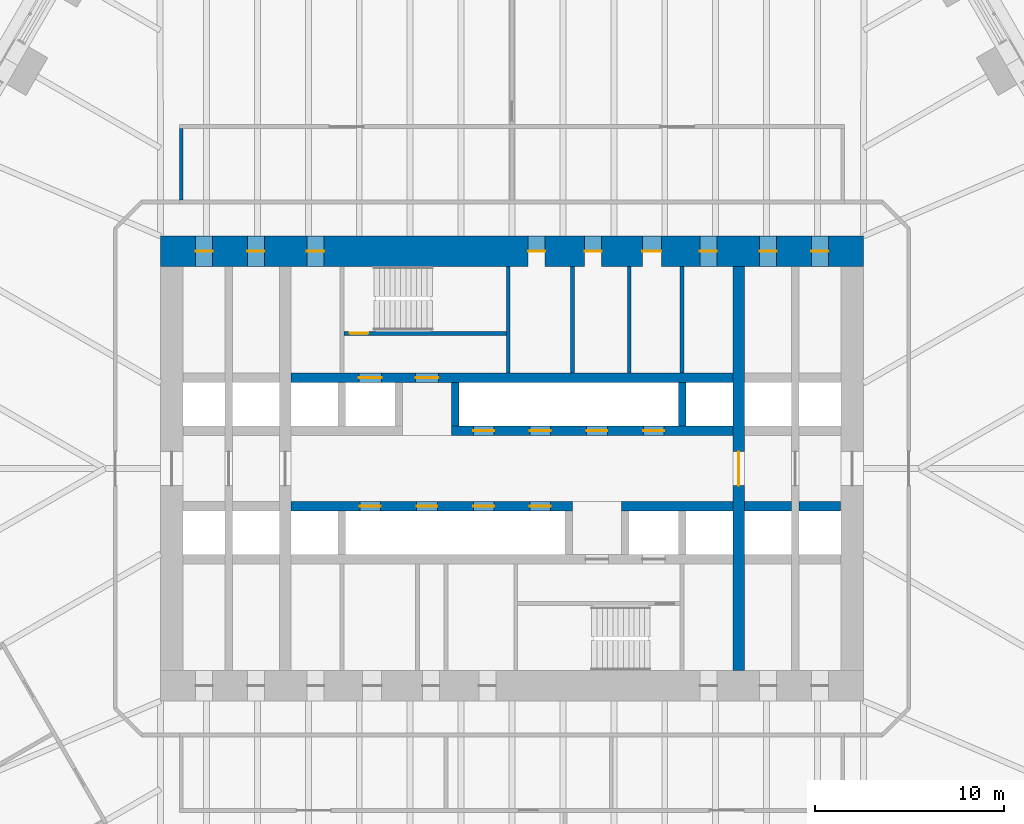
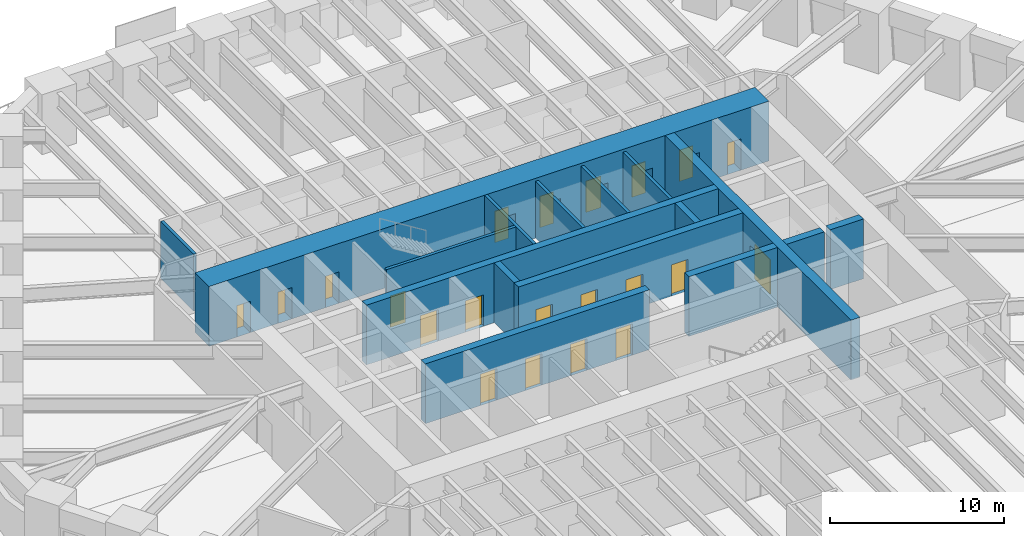
# One storey, part 18 of 23: 21 doors, 16 walls, 21 openings.
"""IFC4 building model written with IfcOpenShell, lengths in metres."""

from ifc_helpers import new_model, si_unit, direction, frame, frame_2d, origin, place, context, subcontext, project, spatial, rectangle, extrude, material, layer, layer_set, type_object, element, fill, save


model = new_model("IFC4")

# Units and contexts
model_context = context("Model", 3, precision=1e-05, world=origin(), true_north=direction((0.0, 1.0)))
body_context = subcontext(model_context, "Body", "Model", "MODEL_VIEW")
ifc_project = project(units=[si_unit("LENGTHUNIT", "METRE"), si_unit("AREAUNIT", "SQUARE_METRE"), si_unit("VOLUMEUNIT", "CUBIC_METRE"), si_unit("PLANEANGLEUNIT", "RADIAN"), si_unit("MASSUNIT", "GRAM", prefix="KILO")], contexts=[model_context])

# Site, building, storey
site_placement = place(None, origin())
site = spatial("IfcSite", under=ifc_project, at=site_placement, CompositionType="ELEMENT")
building_placement = place(site_placement, origin())
building = spatial("IfcBuilding", under=site, at=building_placement, Name="Tarfa Lantern Tower", CompositionType="ELEMENT")
storey_placement = place(building_placement, frame((0.0, 0.0, 31.89990234375)))
storey = spatial("IfcBuildingStorey", under=building, at=storey_placement, Name="L06", CompositionType="ELEMENT", Elevation=31.89990234375)

# Walls
ifc_material_1 = material(Name="Concrete blockwork", Category="masonry")
ifc_layer_1 = layer(ifc_material_1, 0.199951171875)
ifc_layer_set_1 = layer_set([ifc_layer_1], Name="IW1 BLOCKWORK PARTITION 200 EI 120")
wall_type_1 = type_object("IfcWallType", Name="IW1 BLOCKWORK PARTITION 200 EI 120", PredefinedType="PARTITIONING", material=ifc_layer_set_1)
for number, where, z_axis, x_axis, name in (
    (1, (9.0, 5.050048828125, 0.0), (0.0, 0.0, 1.0), (0.0, 1.0, 0.0), "Core partition"),
    (2, (3.199951171875, 5.050048828125, 0.0), (0.0, 0.0, 1.0), (0.0, 1.0, 0.0), "Core partition"),
    (3, (6.199951171875, 5.050048828125, 0.0), (0.0, 0.0, 1.0), (0.0, 1.0, 0.0), "Core partition"),
):
    element("IfcWall", number, at=place(storey_placement, frame(where, z_axis=z_axis, x_axis=x_axis)), inside=storey, type_object=wall_type_1, Name=name, PredefinedType="PARTITIONING", context=body_context, shape_type="SweptSolid", body=[
        extrude(rectangle(XDim=5.64990234375, YDim=0.199951171875, at=frame_2d((2.824951171875, 0.0))), origin(), (0.0, 0.0, 1.0), 4.0),
    ])
ifc_material_2 = material(Name="Gypsum board on steel studs", Category="steel")
ifc_layer_2 = layer(ifc_material_2, 0.2099609375)
ifc_layer_set_2 = layer_set([ifc_layer_2], Name="IW2 ACOUSTIC PARTITION 200")
wall_type_2 = type_object("IfcWallType", Name="IW2 ACOUSTIC PARTITION 200", PredefinedType="PARTITIONING", material=ifc_layer_set_2)
wall_1_placement = place(storey_placement, frame((-17.5, 14.199951171875, 0.0), z_axis=(0.0, 0.0, 1.0), x_axis=(0.0, 1.0, 0.0)))
element("IfcWall", 4, at=wall_1_placement, inside=storey, type_object=wall_type_2, Name="Partition", PredefinedType="PARTITIONING", context=body_context, shape_type="SweptSolid", body=[
    extrude(rectangle(XDim=3.800048828125, YDim=0.199951171875, at=frame_2d((1.89990234375, 0.0))), origin(), (0.0, 0.0, 1.0), 4.0),
])
ifc_material_3 = material(Name="Concrete C80/95", Category="concrete")
ifc_layer_3 = layer(ifc_material_3, 0.199951171875)
ifc_layer_set_3 = layer_set([ifc_layer_3], Name="SW12 CORE WALL 200")
wall_type_3 = type_object("IfcWallType", Name="SW12 CORE WALL 200", PredefinedType="SHEAR", material=ifc_layer_set_3)
wall_2_placement = place(storey_placement, frame((-0.199951171875, 5.050048828125, 0.0), z_axis=(0.0, 0.0, 1.0), x_axis=(0.0, 1.0, 0.0)))
element("IfcWall", 5, at=wall_2_placement, inside=storey, type_object=wall_type_3, Name="Core wall stair shaft N", PredefinedType="SHEAR", context=body_context, shape_type="SweptSolid", body=[
    extrude(rectangle(XDim=5.64990234375, YDim=0.199951171875, at=frame_2d((2.824951171875, 0.0))), origin(), (0.0, 0.0, 1.0), 4.2001953125),
])

# Wall, opening, door
wall_3_placement = place(storey_placement, frame((-8.89990234375, 7.14990234375, 0.0), z_axis=(0.0, 0.0, 1.0), x_axis=(1.0, 0.0, 0.0)))
wall_3 = element("IfcWall", 6, at=wall_3_placement, inside=storey, type_object=wall_type_3, Name="Core wall stair partition N", PredefinedType="SHEAR", context=body_context, shape_type="SweptSolid", body=[
    extrude(rectangle(XDim=8.599853515625, YDim=0.199951171875, at=frame_2d((4.2998046875, 0.0))), origin(), (0.0, 0.0, 1.0), 4.2001953125),
])
opening_1_placement = place(wall_3_placement, frame((0.300048828125, 0.0, 0.0)))
opening_1 = element("IfcOpeningElement", 7, at=opening_1_placement, cuts=wall_3, Name="Opening D23", PredefinedType="OPENING", context=body_context, shape_type="SweptSolid", body=[
    extrude(rectangle(XDim=1.0, YDim=2.199951171875, at=frame_2d((0.5, 1.10009765625))), frame((0.0, 0.10986328125, 0.0), z_axis=(0.0, -1.0, 0.0), x_axis=(1.0, 0.0, 0.0)), (0.0, 0.0, 1.0), 0.219970703125),
])
ifc_material_4 = material(Name="Steel fire door", Category="steel")
door_type_1 = type_object("IfcDoorType", Name="DF2 STAIR DOOR 1000x2200", OperationType="SINGLE_SWING_LEFT", PredefinedType="DOOR", material=ifc_material_4)
door_1_placement = place(opening_1_placement, origin())
door_1 = element("IfcDoor", 8, at=door_1_placement, inside=storey, type_object=door_type_1, Name="Stair door", OperationType="SINGLE_SWING_RIGHT", OverallHeight=2.199951171875, OverallWidth=1.0, PredefinedType="DOOR", context=body_context, shape_type="SweptSolid", body=[
    extrude(rectangle(XDim=1.0, YDim=2.199951171875, at=frame_2d((0.5, 1.10009765625))), frame((0.0, 0.02490234375, 0.0), z_axis=(0.0, -1.0, 0.0), x_axis=(1.0, 0.0, 0.0)), (0.0, 0.0, 1.0), 0.050048828125),
])
fill(opening_1, door_1)

# Wall, openings, doors
ifc_layer_4 = layer(ifc_material_3, 0.5)
ifc_layer_set_4 = layer_set([ifc_layer_4], Name="SW5 CORE WALL 500")
wall_type_4 = type_object("IfcWallType", Name="SW5 CORE WALL 500", PredefinedType="SHEAR", material=ifc_layer_set_4)
wall_4_placement = place(storey_placement, frame((-3.199951171875, 2.0, 0.0), z_axis=(0.0, 0.0, 1.0), x_axis=(1.0, 0.0, 0.0)))
wall_4 = element("IfcWall", 9, at=wall_4_placement, inside=storey, type_object=wall_type_4, Name="Core wall lobby east N", PredefinedType="SHEAR", context=body_context, shape_type="SweptSolid", body=[
    extrude(rectangle(XDim=14.89990234375, YDim=0.5, at=frame_2d((7.449951171875, 0.0))), origin(), (0.0, 0.0, 1.0), 4.2001953125),
])
opening_2_placement = place(wall_4_placement, frame((1.14990234375, 0.0, 0.0)))
opening_2 = element("IfcOpeningElement", 10, at=opening_2_placement, cuts=wall_4, Name="Opening LD03", PredefinedType="OPENING", context=body_context, shape_type="SweptSolid", body=[
    extrude(rectangle(XDim=1.10009765625, YDim=2.199951171875, at=frame_2d((0.550048828125, 1.10009765625))), frame((0.0, 0.260009765625, 0.0), z_axis=(0.0, -1.0, 0.0), x_axis=(1.0, 0.0, 0.0)), (0.0, 0.0, 1.0), 0.52001953125),
])
opening_3_placement = place(wall_4_placement, frame((4.14990234375, 0.0, 0.0)))
opening_3 = element("IfcOpeningElement", 11, at=opening_3_placement, cuts=wall_4, Name="Opening LD04", PredefinedType="OPENING", context=body_context, shape_type="SweptSolid", body=[
    extrude(rectangle(XDim=1.10009765625, YDim=2.199951171875, at=frame_2d((0.550048828125, 1.10009765625))), frame((0.0, 0.260009765625, 0.0), z_axis=(0.0, -1.0, 0.0), x_axis=(1.0, 0.0, 0.0)), (0.0, 0.0, 1.0), 0.52001953125),
])
opening_4_placement = place(wall_4_placement, frame((7.14990234375, 0.0, 0.0)))
opening_4 = element("IfcOpeningElement", 12, at=opening_4_placement, cuts=wall_4, Name="Opening LD05", PredefinedType="OPENING", context=body_context, shape_type="SweptSolid", body=[
    extrude(rectangle(XDim=1.10009765625, YDim=2.199951171875, at=frame_2d((0.550048828125, 1.10009765625))), frame((0.0, 0.260009765625, 0.0), z_axis=(0.0, -1.0, 0.0), x_axis=(1.0, 0.0, 0.0)), (0.0, 0.0, 1.0), 0.52001953125),
])
opening_5_placement = place(wall_4_placement, frame((10.14990234375, 0.0, 0.0)))
opening_5 = element("IfcOpeningElement", 13, at=opening_5_placement, cuts=wall_4, Name="Opening LD06", PredefinedType="OPENING", context=body_context, shape_type="SweptSolid", body=[
    extrude(rectangle(XDim=1.10009765625, YDim=2.199951171875, at=frame_2d((0.550048828125, 1.10009765625))), frame((0.0, 0.260009765625, 0.0), z_axis=(0.0, -1.0, 0.0), x_axis=(1.0, 0.0, 0.0)), (0.0, 0.0, 1.0), 0.52001953125),
])
ifc_material_5 = material(Name="Stainless steel lift door", Category="steel")
door_type_2 = type_object("IfcDoorType", Name="LD2 LIFT LANDING DOOR 1100x2200", OperationType="SLIDING_TO_LEFT", PredefinedType="DOOR", material=ifc_material_5)
door_2_placement = place(opening_2_placement, frame((1.10009765625, 0.0, 0.0), z_axis=(0.0, 0.0, 1.0), x_axis=(-1.0, 0.0, 0.0)))
door_2 = element("IfcDoor", 14, at=door_2_placement, inside=storey, type_object=door_type_2, Name="Landing door PA1", OperationType="SLIDING_TO_LEFT", OverallHeight=2.199951171875, OverallWidth=1.10009765625, PredefinedType="DOOR", context=body_context, shape_type="SweptSolid", body=[
    extrude(rectangle(XDim=1.10009765625, YDim=2.199951171875, at=frame_2d((0.550048828125, 1.10009765625))), frame((0.0, 0.02490234375, 0.0), z_axis=(0.0, -1.0, 0.0), x_axis=(1.0, 0.0, 0.0)), (0.0, 0.0, 1.0), 0.050048828125),
])
fill(opening_2, door_2)
door_3_placement = place(opening_3_placement, frame((1.10009765625, 0.0, 0.0), z_axis=(0.0, 0.0, 1.0), x_axis=(-1.0, 0.0, 0.0)))
door_3 = element("IfcDoor", 15, at=door_3_placement, inside=storey, type_object=door_type_2, Name="Landing door PA2", OperationType="SLIDING_TO_LEFT", OverallHeight=2.199951171875, OverallWidth=1.10009765625, PredefinedType="DOOR", context=body_context, shape_type="SweptSolid", body=[
    extrude(rectangle(XDim=1.10009765625, YDim=2.199951171875, at=frame_2d((0.550048828125, 1.10009765625))), frame((0.0, 0.02490234375, 0.0), z_axis=(0.0, -1.0, 0.0), x_axis=(1.0, 0.0, 0.0)), (0.0, 0.0, 1.0), 0.050048828125),
])
fill(opening_3, door_3)
door_4_placement = place(opening_4_placement, frame((1.10009765625, 0.0, 0.0), z_axis=(0.0, 0.0, 1.0), x_axis=(-1.0, 0.0, 0.0)))
door_4 = element("IfcDoor", 16, at=door_4_placement, inside=storey, type_object=door_type_2, Name="Landing door PA3", OperationType="SLIDING_TO_LEFT", OverallHeight=2.199951171875, OverallWidth=1.10009765625, PredefinedType="DOOR", context=body_context, shape_type="SweptSolid", body=[
    extrude(rectangle(XDim=1.10009765625, YDim=2.199951171875, at=frame_2d((0.550048828125, 1.10009765625))), frame((0.0, 0.02490234375, 0.0), z_axis=(0.0, -1.0, 0.0), x_axis=(1.0, 0.0, 0.0)), (0.0, 0.0, 1.0), 0.050048828125),
])
fill(opening_4, door_4)
door_5_placement = place(opening_5_placement, frame((1.10009765625, 0.0, 0.0), z_axis=(0.0, 0.0, 1.0), x_axis=(-1.0, 0.0, 0.0)))
door_5 = element("IfcDoor", 17, at=door_5_placement, inside=storey, type_object=door_type_2, Name="Landing door PA4", OperationType="SLIDING_TO_LEFT", OverallHeight=2.199951171875, OverallWidth=1.10009765625, PredefinedType="DOOR", context=body_context, shape_type="SweptSolid", body=[
    extrude(rectangle(XDim=1.10009765625, YDim=2.199951171875, at=frame_2d((0.550048828125, 1.10009765625))), frame((0.0, 0.02490234375, 0.0), z_axis=(0.0, -1.0, 0.0), x_axis=(1.0, 0.0, 0.0)), (0.0, 0.0, 1.0), 0.050048828125),
])
fill(opening_5, door_5)

wall_5_placement = place(storey_placement, frame((-11.699951171875, 4.800048828125, 0.0), z_axis=(0.0, 0.0, 1.0), x_axis=(1.0, 0.0, 0.0)))
wall_5 = element("IfcWall", 18, at=wall_5_placement, inside=storey, type_object=wall_type_4, Name="Core wall rear N", PredefinedType="SHEAR", context=body_context, shape_type="SweptSolid", body=[
    extrude(rectangle(XDim=23.39990234375, YDim=0.5, at=frame_2d((11.699951171875, 0.0))), origin(), (0.0, 0.0, 1.0), 4.2001953125),
])
opening_6_placement = place(wall_5_placement, frame((6.60009765625, 0.0, 0.0)))
opening_6 = element("IfcOpeningElement", 19, at=opening_6_placement, cuts=wall_5, Name="Opening D13", PredefinedType="OPENING", context=body_context, shape_type="SweptSolid", body=[
    extrude(rectangle(XDim=1.199951171875, YDim=2.199951171875, at=frame_2d((0.60009765625, 1.10009765625))), frame((0.0, 0.260009765625, 0.0), z_axis=(0.0, -1.0, 0.0), x_axis=(1.0, 0.0, 0.0)), (0.0, 0.0, 1.0), 0.52001953125),
])
opening_7_placement = place(wall_5_placement, frame((3.60009765625, 0.0, 0.0)))
opening_7 = element("IfcOpeningElement", 20, at=opening_7_placement, cuts=wall_5, Name="Opening LD01", PredefinedType="OPENING", context=body_context, shape_type="SweptSolid", body=[
    extrude(rectangle(XDim=1.199951171875, YDim=2.199951171875, at=frame_2d((0.60009765625, 1.10009765625))), frame((0.0, 0.260009765625, 0.0), z_axis=(0.0, -1.0, 0.0), x_axis=(1.0, 0.0, 0.0)), (0.0, 0.0, 1.0), 0.52001953125),
])
door_type_3 = type_object("IfcDoorType", Name="DF1 FIREFIGHTING LOBBY DOOR 1200x2200", OperationType="SINGLE_SWING_LEFT", PredefinedType="DOOR", material=ifc_material_4)
door_6_placement = place(opening_6_placement, origin())
door_6 = element("IfcDoor", 21, at=door_6_placement, inside=storey, type_object=door_type_3, Name="Firefighting lobby door", OperationType="SINGLE_SWING_LEFT", OverallHeight=2.199951171875, OverallWidth=1.199951171875, PredefinedType="DOOR", context=body_context, shape_type="SweptSolid", body=[
    extrude(rectangle(XDim=1.199951171875, YDim=2.199951171875, at=frame_2d((0.60009765625, 1.10009765625))), frame((0.0, 0.02490234375, 0.0), z_axis=(0.0, -1.0, 0.0), x_axis=(1.0, 0.0, 0.0)), (0.0, 0.0, 1.0), 0.050048828125),
])
fill(opening_6, door_6)
door_type_4 = type_object("IfcDoorType", Name="LD1 LIFT LANDING DOOR 1200x2200", OperationType="SLIDING_TO_LEFT", PredefinedType="DOOR", material=ifc_material_5)
door_7_placement = place(opening_7_placement, origin())
door_7 = element("IfcDoor", 22, at=door_7_placement, inside=storey, type_object=door_type_4, Name="Landing door FL1", OperationType="SLIDING_TO_LEFT", OverallHeight=2.199951171875, OverallWidth=1.199951171875, PredefinedType="DOOR", context=body_context, shape_type="SweptSolid", body=[
    extrude(rectangle(XDim=1.199951171875, YDim=2.199951171875, at=frame_2d((0.60009765625, 1.10009765625))), frame((0.0, 0.02490234375, 0.0), z_axis=(0.0, -1.0, 0.0), x_axis=(1.0, 0.0, 0.0)), (0.0, 0.0, 1.0), 0.050048828125),
])
fill(opening_7, door_7)

# Walls
wall_6_placement = place(storey_placement, frame((17.39990234375, -2.0, 0.0), z_axis=(0.0, 0.0, 1.0), x_axis=(-1.0, 0.0, 0.0)))
element("IfcWall", 23, at=wall_6_placement, inside=storey, type_object=wall_type_4, Name="Core wall lobby west S", PredefinedType="SHEAR", context=body_context, shape_type="SweptSolid", body=[
    extrude(rectangle(XDim=2.199951171875, YDim=0.5, at=frame_2d((1.10009765625, 0.0))), origin(), (0.0, 0.0, 1.0), 4.2001953125),
])
wall_7_placement = place(storey_placement, frame((14.800048828125, -2.0, 0.0), z_axis=(0.0, 0.0, 1.0), x_axis=(-1.0, 0.0, 0.0)))
element("IfcWall", 24, at=wall_7_placement, inside=storey, type_object=wall_type_4, Name="Core wall lobby west S", PredefinedType="SHEAR", context=body_context, shape_type="SweptSolid", body=[
    extrude(rectangle(XDim=2.5, YDim=0.5, at=frame_2d((1.25, 0.0))), origin(), (0.0, 0.0, 1.0), 4.2001953125),
])
wall_8_placement = place(storey_placement, frame((11.699951171875, -2.0, 0.0), z_axis=(0.0, 0.0, 1.0), x_axis=(-1.0, 0.0, 0.0)))
element("IfcWall", 25, at=wall_8_placement, inside=storey, type_object=wall_type_4, Name="Core wall lobby west S", PredefinedType="SHEAR", context=body_context, shape_type="SweptSolid", body=[
    extrude(rectangle(XDim=5.89990234375, YDim=0.5, at=frame_2d((2.949951171875, 0.0))), origin(), (0.0, 0.0, 1.0), 4.2001953125),
])

# Wall, openings, doors
wall_9_placement = place(storey_placement, frame((3.199951171875, -2.0, 0.0), z_axis=(0.0, 0.0, 1.0), x_axis=(-1.0, 0.0, 0.0)))
wall_9 = element("IfcWall", 26, at=wall_9_placement, inside=storey, type_object=wall_type_4, Name="Core wall lobby east S", PredefinedType="SHEAR", context=body_context, shape_type="SweptSolid", body=[
    extrude(rectangle(XDim=14.89990234375, YDim=0.5, at=frame_2d((7.449951171875, 0.0))), origin(), (0.0, 0.0, 1.0), 4.2001953125),
])
opening_8_placement = place(wall_9_placement, frame((1.14990234375, 0.0, 0.0)))
opening_8 = element("IfcOpeningElement", 27, at=opening_8_placement, cuts=wall_9, Name="Opening LD07", PredefinedType="OPENING", context=body_context, shape_type="SweptSolid", body=[
    extrude(rectangle(XDim=1.10009765625, YDim=2.199951171875, at=frame_2d((0.550048828125, 1.10009765625))), frame((0.0, 0.260009765625, 0.0), z_axis=(0.0, -1.0, 0.0), x_axis=(1.0, 0.0, 0.0)), (0.0, 0.0, 1.0), 0.52001953125),
])
opening_9_placement = place(wall_9_placement, frame((4.14990234375, 0.0, 0.0)))
opening_9 = element("IfcOpeningElement", 28, at=opening_9_placement, cuts=wall_9, Name="Opening LD08", PredefinedType="OPENING", context=body_context, shape_type="SweptSolid", body=[
    extrude(rectangle(XDim=1.10009765625, YDim=2.199951171875, at=frame_2d((0.550048828125, 1.10009765625))), frame((0.0, 0.260009765625, 0.0), z_axis=(0.0, -1.0, 0.0), x_axis=(1.0, 0.0, 0.0)), (0.0, 0.0, 1.0), 0.52001953125),
])
opening_10_placement = place(wall_9_placement, frame((7.14990234375, 0.0, 0.0)))
opening_10 = element("IfcOpeningElement", 29, at=opening_10_placement, cuts=wall_9, Name="Opening LD09", PredefinedType="OPENING", context=body_context, shape_type="SweptSolid", body=[
    extrude(rectangle(XDim=1.10009765625, YDim=2.199951171875, at=frame_2d((0.550048828125, 1.10009765625))), frame((0.0, 0.260009765625, 0.0), z_axis=(0.0, -1.0, 0.0), x_axis=(1.0, 0.0, 0.0)), (0.0, 0.0, 1.0), 0.52001953125),
])
opening_11_placement = place(wall_9_placement, frame((10.14990234375, 0.0, 0.0)))
opening_11 = element("IfcOpeningElement", 30, at=opening_11_placement, cuts=wall_9, Name="Opening LD10", PredefinedType="OPENING", context=body_context, shape_type="SweptSolid", body=[
    extrude(rectangle(XDim=1.10009765625, YDim=2.199951171875, at=frame_2d((0.550048828125, 1.10009765625))), frame((0.0, 0.260009765625, 0.0), z_axis=(0.0, -1.0, 0.0), x_axis=(1.0, 0.0, 0.0)), (0.0, 0.0, 1.0), 0.52001953125),
])
door_8_placement = place(opening_8_placement, frame((1.10009765625, 0.0, 0.0), z_axis=(0.0, 0.0, 1.0), x_axis=(-1.0, 0.0, 0.0)))
door_8 = element("IfcDoor", 31, at=door_8_placement, inside=storey, type_object=door_type_2, Name="Landing door PA5", OperationType="SLIDING_TO_LEFT", OverallHeight=2.199951171875, OverallWidth=1.10009765625, PredefinedType="DOOR", context=body_context, shape_type="SweptSolid", body=[
    extrude(rectangle(XDim=1.10009765625, YDim=2.199951171875, at=frame_2d((0.550048828125, 1.10009765625))), frame((0.0, 0.02490234375, 0.0), z_axis=(0.0, -1.0, 0.0), x_axis=(1.0, 0.0, 0.0)), (0.0, 0.0, 1.0), 0.050048828125),
])
fill(opening_8, door_8)
door_9_placement = place(opening_9_placement, frame((1.10009765625, 0.0, 0.0), z_axis=(0.0, 0.0, 1.0), x_axis=(-1.0, 0.0, 0.0)))
door_9 = element("IfcDoor", 32, at=door_9_placement, inside=storey, type_object=door_type_2, Name="Landing door PA6", OperationType="SLIDING_TO_LEFT", OverallHeight=2.199951171875, OverallWidth=1.10009765625, PredefinedType="DOOR", context=body_context, shape_type="SweptSolid", body=[
    extrude(rectangle(XDim=1.10009765625, YDim=2.199951171875, at=frame_2d((0.550048828125, 1.10009765625))), frame((0.0, 0.02490234375, 0.0), z_axis=(0.0, -1.0, 0.0), x_axis=(1.0, 0.0, 0.0)), (0.0, 0.0, 1.0), 0.050048828125),
])
fill(opening_9, door_9)
door_10_placement = place(opening_10_placement, frame((1.10009765625, 0.0, 0.0), z_axis=(0.0, 0.0, 1.0), x_axis=(-1.0, 0.0, 0.0)))
door_10 = element("IfcDoor", 33, at=door_10_placement, inside=storey, type_object=door_type_2, Name="Landing door PA7", OperationType="SLIDING_TO_LEFT", OverallHeight=2.199951171875, OverallWidth=1.10009765625, PredefinedType="DOOR", context=body_context, shape_type="SweptSolid", body=[
    extrude(rectangle(XDim=1.10009765625, YDim=2.199951171875, at=frame_2d((0.550048828125, 1.10009765625))), frame((0.0, 0.02490234375, 0.0), z_axis=(0.0, -1.0, 0.0), x_axis=(1.0, 0.0, 0.0)), (0.0, 0.0, 1.0), 0.050048828125),
])
fill(opening_10, door_10)
door_11_placement = place(opening_11_placement, frame((1.10009765625, 0.0, 0.0), z_axis=(0.0, 0.0, 1.0), x_axis=(-1.0, 0.0, 0.0)))
door_11 = element("IfcDoor", 34, at=door_11_placement, inside=storey, type_object=door_type_2, Name="Landing door PA8", OperationType="SLIDING_TO_LEFT", OverallHeight=2.199951171875, OverallWidth=1.10009765625, PredefinedType="DOOR", context=body_context, shape_type="SweptSolid", body=[
    extrude(rectangle(XDim=1.10009765625, YDim=2.199951171875, at=frame_2d((0.550048828125, 1.10009765625))), frame((0.0, 0.02490234375, 0.0), z_axis=(0.0, -1.0, 0.0), x_axis=(1.0, 0.0, 0.0)), (0.0, 0.0, 1.0), 0.050048828125),
])
fill(opening_11, door_11)

# Walls
ifc_layer_5 = layer(ifc_material_3, 0.39990234375)
ifc_layer_set_5 = layer_set([ifc_layer_5], Name="SW6 CORE WALL 400")
wall_type_5 = type_object("IfcWallType", Name="SW6 CORE WALL 400", PredefinedType="SHEAR", material=ifc_layer_set_5)
for number, where, z_axis, x_axis, name in (
    (35, (-3.0, 2.25, 0.0), (0.0, 0.0, 1.0), (0.0, 1.0, 0.0), "Core wall divider N"),
    (36, (9.0, 2.25, 0.0), (0.0, 0.0, 1.0), (0.0, 1.0, 0.0), "Core wall divider N"),
):
    element("IfcWall", number, at=place(storey_placement, frame(where, z_axis=z_axis, x_axis=x_axis)), inside=storey, type_object=wall_type_5, Name=name, PredefinedType="SHEAR", context=body_context, shape_type="SweptSolid", body=[
        extrude(rectangle(XDim=2.300048828125, YDim=0.39990234375, at=frame_2d((1.14990234375, 0.0))), origin(), (0.0, 0.0, 1.0), 4.2001953125),
    ])

# Wall, openings, doors
ifc_layer_6 = layer(ifc_material_3, 1.60009765625)
ifc_layer_set_6 = layer_set([ifc_layer_6], Name="SW7 CORE WALL 1600")
wall_type_6 = type_object("IfcWallType", Name="SW7 CORE WALL 1600", PredefinedType="SHEAR", material=ifc_layer_set_6)
wall_10_placement = place(storey_placement, frame((-18.60009765625, 11.5, 0.0), z_axis=(0.0, 0.0, 1.0), x_axis=(1.0, 0.0, 0.0)))
wall_10 = element("IfcWall", 37, at=wall_10_placement, inside=storey, type_object=wall_type_6, Name="Core wall N", PredefinedType="SHEAR", context=body_context, shape_type="SweptSolid", body=[
    extrude(rectangle(XDim=37.2001953125, YDim=1.60009765625, at=frame_2d((18.60009765625, 0.0))), origin(), (0.0, 0.0, 1.0), 4.2001953125),
])
opening_12_placement = place(wall_10_placement, frame((19.449951171875, 0.0, 0.0)))
opening_12 = element("IfcOpeningElement", 38, at=opening_12_placement, cuts=wall_10, Name="Opening D17", PredefinedType="OPENING", context=body_context, shape_type="SweptSolid", body=[
    extrude(rectangle(XDim=0.89990234375, YDim=2.199951171875, at=frame_2d((0.449951171875, 1.10009765625))), frame((0.0, 0.81005859375, 0.0), z_axis=(0.0, -1.0, 0.0), x_axis=(1.0, 0.0, 0.0)), (0.0, 0.0, 1.0), 1.6201171875),
])
opening_13_placement = place(wall_10_placement, frame((22.449951171875, 0.0, 0.0)))
opening_13 = element("IfcOpeningElement", 39, at=opening_13_placement, cuts=wall_10, Name="Opening D19", PredefinedType="OPENING", context=body_context, shape_type="SweptSolid", body=[
    extrude(rectangle(XDim=0.89990234375, YDim=2.199951171875, at=frame_2d((0.449951171875, 1.10009765625))), frame((0.0, 0.81005859375, 0.0), z_axis=(0.0, -1.0, 0.0), x_axis=(1.0, 0.0, 0.0)), (0.0, 0.0, 1.0), 1.6201171875),
])
opening_14_placement = place(wall_10_placement, frame((25.5, 0.0, 0.0)))
opening_14 = element("IfcOpeningElement", 40, at=opening_14_placement, cuts=wall_10, Name="Opening D21", PredefinedType="OPENING", context=body_context, shape_type="SweptSolid", body=[
    extrude(rectangle(XDim=1.0, YDim=2.199951171875, at=frame_2d((0.5, 1.10009765625))), frame((0.0, 0.81005859375, 0.0), z_axis=(0.0, -1.0, 0.0), x_axis=(1.0, 0.0, 0.0)), (0.0, 0.0, 1.0), 1.6201171875),
])
opening_15_placement = place(wall_10_placement, frame((1.85009765625, 0.0, 0.0)))
opening_15 = element("IfcOpeningElement", 41, at=opening_15_placement, cuts=wall_10, Name="Opening D11", PredefinedType="OPENING", context=body_context, shape_type="SweptSolid", body=[
    extrude(rectangle(XDim=0.89990234375, YDim=2.199951171875, at=frame_2d((0.449951171875, 1.10009765625))), frame((0.0, 0.81005859375, 0.0), z_axis=(0.0, -1.0, 0.0), x_axis=(1.0, 0.0, 0.0)), (0.0, 0.0, 1.0), 1.6201171875),
])
opening_16_placement = place(wall_10_placement, frame((4.60009765625, 0.0, 0.0)))
opening_16 = element("IfcOpeningElement", 42, at=opening_16_placement, cuts=wall_10, Name="Opening D07", PredefinedType="OPENING", context=body_context, shape_type="SweptSolid", body=[
    extrude(rectangle(XDim=0.89990234375, YDim=2.199951171875, at=frame_2d((0.449951171875, 1.10009765625))), frame((0.0, 0.81005859375, 0.0), z_axis=(0.0, -1.0, 0.0), x_axis=(1.0, 0.0, 0.0)), (0.0, 0.0, 1.0), 1.6201171875),
])
opening_17_placement = place(wall_10_placement, frame((7.75, 0.0, 0.0)))
opening_17 = element("IfcOpeningElement", 43, at=opening_17_placement, cuts=wall_10, Name="Opening D09", PredefinedType="OPENING", context=body_context, shape_type="SweptSolid", body=[
    extrude(rectangle(XDim=0.89990234375, YDim=2.199951171875, at=frame_2d((0.449951171875, 1.10009765625))), frame((0.0, 0.81005859375, 0.0), z_axis=(0.0, -1.0, 0.0), x_axis=(1.0, 0.0, 0.0)), (0.0, 0.0, 1.0), 1.6201171875),
])
opening_18_placement = place(wall_10_placement, frame((28.550048828125, 0.0, 0.0)))
opening_18 = element("IfcOpeningElement", 44, at=opening_18_placement, cuts=wall_10, Name="Opening D05", PredefinedType="OPENING", context=body_context, shape_type="SweptSolid", body=[
    extrude(rectangle(XDim=0.89990234375, YDim=2.199951171875, at=frame_2d((0.449951171875, 1.10009765625))), frame((0.0, 0.81005859375, 0.0), z_axis=(0.0, -1.0, 0.0), x_axis=(1.0, 0.0, 0.0)), (0.0, 0.0, 1.0), 1.6201171875),
])
opening_19_placement = place(wall_10_placement, frame((31.699951171875, 0.0, 0.0)))
opening_19 = element("IfcOpeningElement", 45, at=opening_19_placement, cuts=wall_10, Name="Opening D01", PredefinedType="OPENING", context=body_context, shape_type="SweptSolid", body=[
    extrude(rectangle(XDim=0.89990234375, YDim=2.199951171875, at=frame_2d((0.449951171875, 1.10009765625))), frame((0.0, 0.81005859375, 0.0), z_axis=(0.0, -1.0, 0.0), x_axis=(1.0, 0.0, 0.0)), (0.0, 0.0, 1.0), 1.6201171875),
])
opening_20_placement = place(wall_10_placement, frame((34.449951171875, 0.0, 0.0)))
opening_20 = element("IfcOpeningElement", 46, at=opening_20_placement, cuts=wall_10, Name="Opening D03", PredefinedType="OPENING", context=body_context, shape_type="SweptSolid", body=[
    extrude(rectangle(XDim=0.89990234375, YDim=2.199951171875, at=frame_2d((0.449951171875, 1.10009765625))), frame((0.0, 0.81005859375, 0.0), z_axis=(0.0, -1.0, 0.0), x_axis=(1.0, 0.0, 0.0)), (0.0, 0.0, 1.0), 1.6201171875),
])
door_type_5 = type_object("IfcDoorType", Name="DF3 CORE ROOM DOOR 900x2200", OperationType="SINGLE_SWING_LEFT", PredefinedType="DOOR", material=ifc_material_4)
door_12_placement = place(opening_12_placement, frame((0.89990234375, 0.0, 0.0), z_axis=(0.0, 0.0, 1.0), x_axis=(-1.0, 0.0, 0.0)))
door_12 = element("IfcDoor", 47, at=door_12_placement, inside=storey, type_object=door_type_5, Name="Core door", OperationType="SINGLE_SWING_LEFT", OverallHeight=2.199951171875, OverallWidth=0.89990234375, PredefinedType="DOOR", context=body_context, shape_type="SweptSolid", body=[
    extrude(rectangle(XDim=0.89990234375, YDim=2.199951171875, at=frame_2d((0.449951171875, 1.10009765625))), frame((0.0, 0.02490234375, 0.0), z_axis=(0.0, -1.0, 0.0), x_axis=(1.0, 0.0, 0.0)), (0.0, 0.0, 1.0), 0.050048828125),
])
fill(opening_12, door_12)
door_13_placement = place(opening_13_placement, frame((0.89990234375, 0.0, 0.0), z_axis=(0.0, 0.0, 1.0), x_axis=(-1.0, 0.0, 0.0)))
door_13 = element("IfcDoor", 48, at=door_13_placement, inside=storey, type_object=door_type_5, Name="Core door", OperationType="SINGLE_SWING_LEFT", OverallHeight=2.199951171875, OverallWidth=0.89990234375, PredefinedType="DOOR", context=body_context, shape_type="SweptSolid", body=[
    extrude(rectangle(XDim=0.89990234375, YDim=2.199951171875, at=frame_2d((0.449951171875, 1.10009765625))), frame((0.0, 0.02490234375, 0.0), z_axis=(0.0, -1.0, 0.0), x_axis=(1.0, 0.0, 0.0)), (0.0, 0.0, 1.0), 0.050048828125),
])
fill(opening_13, door_13)
door_type_6 = type_object("IfcDoorType", Name="DF4 CORE ROOM DOOR 1000x2200", OperationType="SINGLE_SWING_LEFT", PredefinedType="DOOR", material=ifc_material_4)
door_14_placement = place(opening_14_placement, frame((1.0, 0.0, 0.0), z_axis=(0.0, 0.0, 1.0), x_axis=(-1.0, 0.0, 0.0)))
door_14 = element("IfcDoor", 49, at=door_14_placement, inside=storey, type_object=door_type_6, Name="Core door", OperationType="SINGLE_SWING_LEFT", OverallHeight=2.199951171875, OverallWidth=1.0, PredefinedType="DOOR", context=body_context, shape_type="SweptSolid", body=[
    extrude(rectangle(XDim=1.0, YDim=2.199951171875, at=frame_2d((0.5, 1.10009765625))), frame((0.0, 0.02490234375, 0.0), z_axis=(0.0, -1.0, 0.0), x_axis=(1.0, 0.0, 0.0)), (0.0, 0.0, 1.0), 0.050048828125),
])
fill(opening_14, door_14)
door_type_7 = type_object("IfcDoorType", Name="DF5 RISER DOOR 900x2200", OperationType="SINGLE_SWING_LEFT", PredefinedType="DOOR", material=ifc_material_4)
door_15_placement = place(opening_15_placement, frame((0.89990234375, 0.0, 0.0), z_axis=(0.0, 0.0, 1.0), x_axis=(-1.0, 0.0, 0.0)))
door_15 = element("IfcDoor", 50, at=door_15_placement, inside=storey, type_object=door_type_7, Name="Riser door", OperationType="SINGLE_SWING_LEFT", OverallHeight=2.199951171875, OverallWidth=0.89990234375, PredefinedType="DOOR", context=body_context, shape_type="SweptSolid", body=[
    extrude(rectangle(XDim=0.89990234375, YDim=2.199951171875, at=frame_2d((0.449951171875, 1.10009765625))), frame((0.0, 0.02490234375, 0.0), z_axis=(0.0, -1.0, 0.0), x_axis=(1.0, 0.0, 0.0)), (0.0, 0.0, 1.0), 0.050048828125),
])
fill(opening_15, door_15)
door_16_placement = place(opening_16_placement, frame((0.89990234375, 0.0, 0.0), z_axis=(0.0, 0.0, 1.0), x_axis=(-1.0, 0.0, 0.0)))
door_16 = element("IfcDoor", 51, at=door_16_placement, inside=storey, type_object=door_type_7, Name="Riser door", OperationType="SINGLE_SWING_LEFT", OverallHeight=2.199951171875, OverallWidth=0.89990234375, PredefinedType="DOOR", context=body_context, shape_type="SweptSolid", body=[
    extrude(rectangle(XDim=0.89990234375, YDim=2.199951171875, at=frame_2d((0.449951171875, 1.10009765625))), frame((0.0, 0.02490234375, 0.0), z_axis=(0.0, -1.0, 0.0), x_axis=(1.0, 0.0, 0.0)), (0.0, 0.0, 1.0), 0.050048828125),
])
fill(opening_16, door_16)
door_17_placement = place(opening_17_placement, frame((0.89990234375, 0.0, 0.0), z_axis=(0.0, 0.0, 1.0), x_axis=(-1.0, 0.0, 0.0)))
door_17 = element("IfcDoor", 52, at=door_17_placement, inside=storey, type_object=door_type_7, Name="Riser door", OperationType="SINGLE_SWING_LEFT", OverallHeight=2.199951171875, OverallWidth=0.89990234375, PredefinedType="DOOR", context=body_context, shape_type="SweptSolid", body=[
    extrude(rectangle(XDim=0.89990234375, YDim=2.199951171875, at=frame_2d((0.449951171875, 1.10009765625))), frame((0.0, 0.02490234375, 0.0), z_axis=(0.0, -1.0, 0.0), x_axis=(1.0, 0.0, 0.0)), (0.0, 0.0, 1.0), 0.050048828125),
])
fill(opening_17, door_17)
door_18_placement = place(opening_18_placement, frame((0.89990234375, 0.0, 0.0), z_axis=(0.0, 0.0, 1.0), x_axis=(-1.0, 0.0, 0.0)))
door_18 = element("IfcDoor", 53, at=door_18_placement, inside=storey, type_object=door_type_7, Name="Riser door", OperationType="SINGLE_SWING_RIGHT", OverallHeight=2.199951171875, OverallWidth=0.89990234375, PredefinedType="DOOR", context=body_context, shape_type="SweptSolid", body=[
    extrude(rectangle(XDim=0.89990234375, YDim=2.199951171875, at=frame_2d((0.449951171875, 1.10009765625))), frame((0.0, 0.02490234375, 0.0), z_axis=(0.0, -1.0, 0.0), x_axis=(1.0, 0.0, 0.0)), (0.0, 0.0, 1.0), 0.050048828125),
])
fill(opening_18, door_18)
door_19_placement = place(opening_19_placement, frame((0.89990234375, 0.0, 0.0), z_axis=(0.0, 0.0, 1.0), x_axis=(-1.0, 0.0, 0.0)))
door_19 = element("IfcDoor", 54, at=door_19_placement, inside=storey, type_object=door_type_7, Name="Riser door", OperationType="SINGLE_SWING_RIGHT", OverallHeight=2.199951171875, OverallWidth=0.89990234375, PredefinedType="DOOR", context=body_context, shape_type="SweptSolid", body=[
    extrude(rectangle(XDim=0.89990234375, YDim=2.199951171875, at=frame_2d((0.449951171875, 1.10009765625))), frame((0.0, 0.02490234375, 0.0), z_axis=(0.0, -1.0, 0.0), x_axis=(1.0, 0.0, 0.0)), (0.0, 0.0, 1.0), 0.050048828125),
])
fill(opening_19, door_19)
door_20_placement = place(opening_20_placement, frame((0.89990234375, 0.0, 0.0), z_axis=(0.0, 0.0, 1.0), x_axis=(-1.0, 0.0, 0.0)))
door_20 = element("IfcDoor", 55, at=door_20_placement, inside=storey, type_object=door_type_7, Name="Riser door", OperationType="SINGLE_SWING_RIGHT", OverallHeight=2.199951171875, OverallWidth=0.89990234375, PredefinedType="DOOR", context=body_context, shape_type="SweptSolid", body=[
    extrude(rectangle(XDim=0.89990234375, YDim=2.199951171875, at=frame_2d((0.449951171875, 1.10009765625))), frame((0.0, 0.02490234375, 0.0), z_axis=(0.0, -1.0, 0.0), x_axis=(1.0, 0.0, 0.0)), (0.0, 0.0, 1.0), 0.050048828125),
])
fill(opening_20, door_20)

# Wall, opening, door
ifc_layer_7 = layer(ifc_material_3, 0.60009765625)
ifc_layer_set_7 = layer_set([ifc_layer_7], Name="SW9 CORE WALL 600")
wall_type_7 = type_object("IfcWallType", Name="SW9 CORE WALL 600", PredefinedType="SHEAR", material=ifc_layer_set_7)
wall_11_placement = place(storey_placement, frame((12.0, -10.699951171875, 0.0), z_axis=(0.0, 0.0, 1.0), x_axis=(0.0, 1.0, 0.0)))
wall_11 = element("IfcWall", 56, at=wall_11_placement, inside=storey, type_object=wall_type_7, Name="Core wall cross 12 m east", PredefinedType="SHEAR", context=body_context, shape_type="SweptSolid", body=[
    extrude(rectangle(XDim=21.39990234375, YDim=0.60009765625, at=frame_2d((10.699951171875, 0.0))), origin(), (0.0, 0.0, 1.0), 4.2001953125),
])
opening_21_placement = place(wall_11_placement, frame((9.800048828125, 0.0, 0.0)))
opening_21 = element("IfcOpeningElement", 57, at=opening_21_placement, cuts=wall_11, Name="Opening D25", PredefinedType="OPENING", context=body_context, shape_type="SweptSolid", body=[
    extrude(rectangle(XDim=1.800048828125, YDim=2.39990234375, at=frame_2d((0.89990234375, 1.199951171875))), frame((0.0, 0.31005859375, 0.0), z_axis=(0.0, -1.0, 0.0), x_axis=(1.0, 0.0, 0.0)), (0.0, 0.0, 1.0), 0.6201171875),
])
door_type_8 = type_object("IfcDoorType", Name="DL1 LOBBY DOOR 1800x2400", OperationType="DOUBLE_DOOR_SINGLE_SWING", PredefinedType="DOOR", material=ifc_material_4)
door_21_placement = place(opening_21_placement, origin())
door_21 = element("IfcDoor", 58, at=door_21_placement, inside=storey, type_object=door_type_8, Name="Lift lobby door", OperationType="DOUBLE_DOOR_SINGLE_SWING", OverallHeight=2.39990234375, OverallWidth=1.800048828125, PredefinedType="DOOR", context=body_context, shape_type="SweptSolid", body=[
    extrude(rectangle(XDim=1.800048828125, YDim=2.39990234375, at=frame_2d((0.89990234375, 1.199951171875))), frame((0.0, 0.02490234375, 0.0), z_axis=(0.0, -1.0, 0.0), x_axis=(1.0, 0.0, 0.0)), (0.0, 0.0, 1.0), 0.050048828125),
])
fill(opening_21, door_21)

save(model, "model.ifc")
